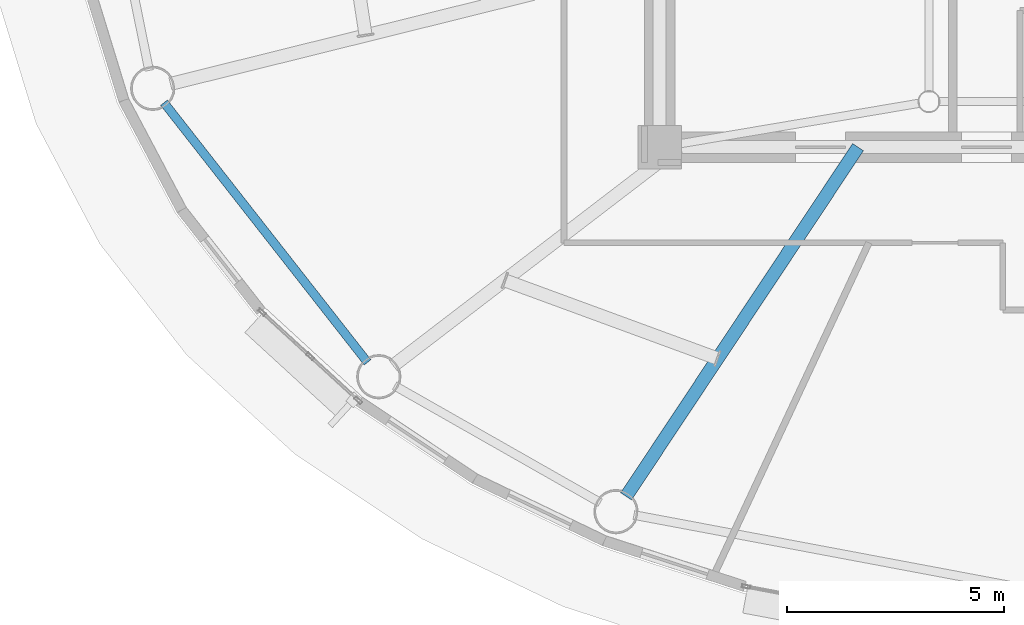
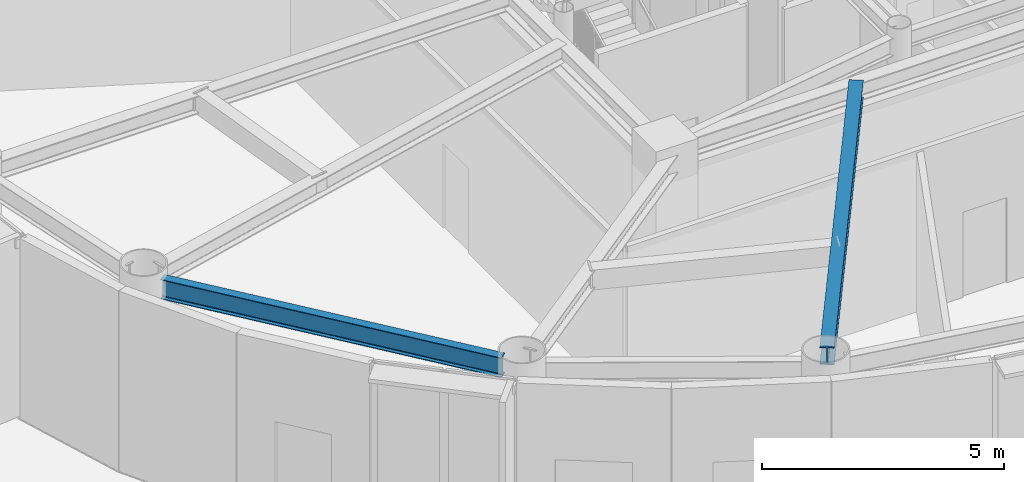
# One storey, part 4 of 32: 2 beams.
"""IFC4 building model written with IfcOpenShell, lengths in metres."""

from ifc_helpers import new_model, si_unit, direction, frame, origin, origin_2d, place, context, subcontext, project, spatial, i_section, extrude, material, material_profile, profile_set, type_object, element, save


model = new_model("IFC4")

# Units and contexts
model_context = context("Model", 3, precision=1e-05, world=origin(), true_north=direction((0.0, 1.0)))
body_context = subcontext(model_context, "Body", "Model", "MODEL_VIEW")
ifc_project = project(units=[si_unit("LENGTHUNIT", "METRE"), si_unit("AREAUNIT", "SQUARE_METRE"), si_unit("VOLUMEUNIT", "CUBIC_METRE"), si_unit("PLANEANGLEUNIT", "RADIAN"), si_unit("MASSUNIT", "GRAM", prefix="KILO")], contexts=[model_context])

# Site, building, storey
site_placement = place(None, origin())
site = spatial("IfcSite", under=ifc_project, at=site_placement, CompositionType="ELEMENT")
building_placement = place(site_placement, origin())
building = spatial("IfcBuilding", under=site, at=building_placement, Name="Linh Dai School and Residence Tower", CompositionType="ELEMENT")
storey_placement = place(building_placement, frame((0.0, 0.0, 268.199951171875)))
storey = spatial("IfcBuildingStorey", under=building, at=storey_placement, Name="L66", CompositionType="ELEMENT", Elevation=268.199951171875)

# Beams
ifc_material = material(Name="Structural Steel S355JR", Category="steel")
ifc_material_profile_1 = material_profile(ifc_material, i_section(OverallWidth=0.199951171875, OverallDepth=0.5, WebThickness=0.01025390625, FlangeThickness=0.01611328125, FilletRadius=0.02099609375, at=origin_2d()), Name="IPE 500")
ifc_profile_set_1 = profile_set([ifc_material_profile_1], Name="Structural Steel S355JR")
beam_type_1 = type_object("IfcBeamType", Name="BM-RB50", PredefinedType="BEAM", material=ifc_profile_set_1)
beam_1_placement = place(storey_placement, frame((15.740478515625, 21.574951171875, 4.300048828125), z_axis=(0.616882739554, -0.787055071542, 0.0), x_axis=(0.787055071542, 0.616882739554, 0.0)))
element("IfcBeam", 1, at=beam_1_placement, inside=storey, type_object=beam_type_1, Name="L66 Perimeter Elliptical Ring Beam 10", PredefinedType="BEAM", context=body_context, shape_type="SweptSolid", body=[
    extrude(i_section(OverallWidth=0.199951171875, OverallDepth=0.5, WebThickness=0.01025390625, FlangeThickness=0.01611328125, FilletRadius=0.02099609375, at=origin_2d()), origin(), (0.0, 0.0, 1.0), 7.59521484375),
])
ifc_material_profile_2 = material_profile(ifc_material, i_section(OverallWidth=0.300048828125, OverallDepth=0.449951171875, WebThickness=0.013916015625, FlangeThickness=0.02587890625, FilletRadius=0.027099609375, at=origin_2d()), Name="HEB 450")
ifc_profile_set_2 = profile_set([ifc_material_profile_2], Name="Structural Steel S355JR")
beam_type_2 = type_object("IfcBeamType", Name="BM-RG45", PredefinedType="BEAM", material=ifc_profile_set_2)
beam_2_placement = place(storey_placement, frame((31.716552734375, 20.550048828125, 4.324951171875), z_axis=(-0.553210566646, -0.833041456922, 0.0), x_axis=(0.833041456922, -0.553210566646, 0.0)))
element("IfcBeam", 2, at=beam_2_placement, inside=storey, type_object=beam_type_2, Name="L66 Primary Radial Floor Girder 12", PredefinedType="BEAM", context=body_context, shape_type="SweptSolid", body=[
    extrude(i_section(OverallWidth=0.300048828125, OverallDepth=0.449951171875, WebThickness=0.013916015625, FlangeThickness=0.02587890625, FilletRadius=0.027099609375, at=origin_2d()), origin(), (0.0, 0.0, 1.0), 9.650146484375),
])

save(model, "model.ifc")
